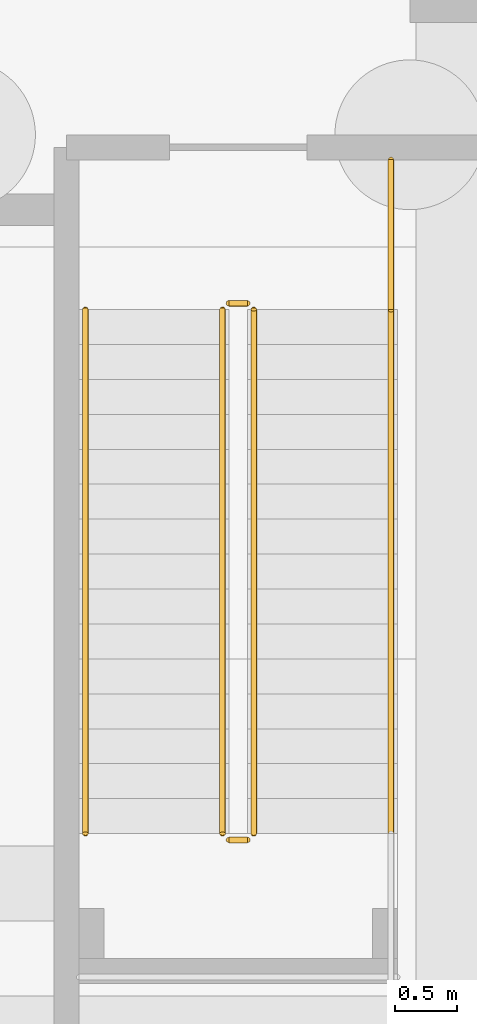
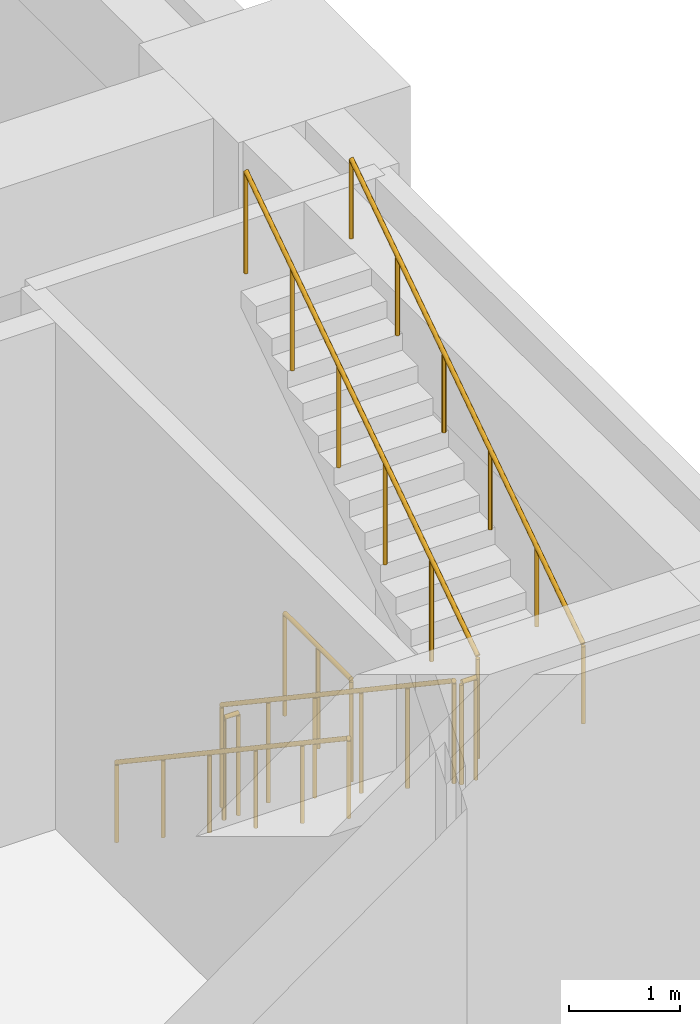
# One storey, part 12 of 13: 7 railings.
"""IFC4 building model written with IfcOpenShell, lengths in metres."""

from ifc_helpers import new_model, si_unit, direction, frame, origin, origin_2d, place, context, subcontext, project, spatial, circle, extrude, material, type_object, element, save


model = new_model("IFC4")

# Units and contexts
model_context = context("Model", 3, precision=1e-05, world=origin(), true_north=direction((0.0, 1.0)))
body_context = subcontext(model_context, "Body", "Model", "MODEL_VIEW")
ifc_project = project(units=[si_unit("LENGTHUNIT", "METRE"), si_unit("AREAUNIT", "SQUARE_METRE"), si_unit("VOLUMEUNIT", "CUBIC_METRE"), si_unit("PLANEANGLEUNIT", "RADIAN"), si_unit("MASSUNIT", "GRAM", prefix="KILO")], contexts=[model_context])

# Site, building, storey
site_placement = place(None, origin())
site = spatial("IfcSite", under=ifc_project, at=site_placement, CompositionType="ELEMENT")
building_placement = place(site_placement, origin())
building = spatial("IfcBuilding", under=site, at=building_placement, Name="Saffron Iwan Residences", CompositionType="ELEMENT")
storey_placement = place(building_placement, frame((0.0, 0.0, -11.39990234375)))
storey = spatial("IfcBuildingStorey", under=building, at=storey_placement, Name="B2", CompositionType="ELEMENT", Elevation=-11.39990234375)

# Railings
ifc_material = material(Name="Steel S355", Category="steel")
railing_type_1 = type_object("IfcRailingType", Name="Podium stair guard 1150", PredefinedType="GUARDRAIL", material=ifc_material)
railing_1_placement = place(storey_placement, frame((98.39990234375, 6.39990234375, 0.1875)))
element("IfcRailing", 1, at=railing_1_placement, inside=storey, type_object=railing_type_1, Name="B2 SE2 stair guard 1", PredefinedType="GUARDRAIL", context=body_context, shape_type="SweptSolid", body=[
    extrude(circle(Radius=0.02392578125, at=origin_2d()), frame((0.0, 0.0, 1.1259765625), z_axis=(0.0, -0.830904186295, 0.556415522067), x_axis=(1.0, 0.0, 0.0)), (0.0, 0.0, 1.0), 5.0546875),
    extrude(circle(Radius=0.02099609375, at=origin_2d()), origin(), (0.0, 0.0, 1.0), 1.101806640625),
    extrude(circle(Radius=0.02099609375, at=origin_2d()), frame((0.0, -0.840087890625, 0.5625)), (0.0, 0.0, 1.0), 1.101806640625),
    extrude(circle(Radius=0.02099609375, at=origin_2d()), frame((0.0, -1.679931640625, 1.125)), (0.0, 0.0, 1.0), 1.101806640625),
    extrude(circle(Radius=0.02099609375, at=origin_2d()), frame((0.0, -2.52001953125, 1.6875)), (0.0, 0.0, 1.0), 1.101806640625),
    extrude(circle(Radius=0.02099609375, at=origin_2d()), frame((0.0, -3.35986328125, 2.25)), (0.0, 0.0, 1.0), 1.101806640625),
    extrude(circle(Radius=0.02099609375, at=origin_2d()), frame((0.0, -4.199951171875, 2.8125)), (0.0, 0.0, 1.0), 1.101806640625),
])
railing_2_placement = place(storey_placement, frame((98.449951171875, 2.14990234375, 3.0)))
element("IfcRailing", 2, at=railing_2_placement, inside=storey, type_object=railing_type_1, Name="B2 SE2 stair guard 2", PredefinedType="GUARDRAIL", context=body_context, shape_type="SweptSolid", body=[
    extrude(circle(Radius=0.02392578125, at=origin_2d()), frame((0.0, 0.0, 1.1259765625), z_axis=(1.0, 0.0, 0.0), x_axis=(0.0, 1.0, 0.0)), (0.0, 0.0, 1.0), 0.150146484375),
    extrude(circle(Radius=0.02099609375, at=origin_2d()), origin(), (0.0, 0.0, 1.0), 1.101806640625),
    extrude(circle(Radius=0.02099609375, at=origin_2d()), frame((0.150146484375, 0.0, 0.0)), (0.0, 0.0, 1.0), 1.101806640625),
])
railing_3_placement = place(storey_placement, frame((98.64990234375, 2.199951171875, 3.1875)))
element("IfcRailing", 3, at=railing_3_placement, inside=storey, type_object=railing_type_1, Name="B2 SE2 stair guard 5", PredefinedType="GUARDRAIL", context=body_context, shape_type="SweptSolid", body=[
    extrude(circle(Radius=0.02392578125, at=origin_2d()), frame((0.0, 0.0, 1.1259765625), z_axis=(0.0, 0.830904186295, 0.556415522067), x_axis=(-1.0, 0.0, 0.0)), (0.0, 0.0, 1.0), 5.0546875),
    extrude(circle(Radius=0.02099609375, at=origin_2d()), origin(), (0.0, 0.0, 1.0), 1.101806640625),
    extrude(circle(Radius=0.02099609375, at=origin_2d()), frame((0.0, 0.840087890625, 0.5625)), (0.0, 0.0, 1.0), 1.101806640625),
    extrude(circle(Radius=0.02099609375, at=origin_2d()), frame((0.0, 1.679931640625, 1.125)), (0.0, 0.0, 1.0), 1.101806640625),
    extrude(circle(Radius=0.02099609375, at=origin_2d()), frame((0.0, 2.52001953125, 1.6875)), (0.0, 0.0, 1.0), 1.101806640625),
    extrude(circle(Radius=0.02099609375, at=origin_2d()), frame((0.0, 3.35986328125, 2.25)), (0.0, 0.0, 1.0), 1.101806640625),
    extrude(circle(Radius=0.02099609375, at=origin_2d()), frame((0.0, 4.199951171875, 2.8125)), (0.0, 0.0, 1.0), 1.101806640625),
])
railing_4_placement = place(storey_placement, frame((98.449951171875, 6.449951171875, 0.0)))
element("IfcRailing", 4, at=railing_4_placement, inside=storey, type_object=railing_type_1, Name="B2 SE2 stair guard 6", PredefinedType="GUARDRAIL", context=body_context, shape_type="SweptSolid", body=[
    extrude(circle(Radius=0.02392578125, at=origin_2d()), frame((0.0, 0.0, 1.1259765625), z_axis=(1.0, 0.0, 0.0), x_axis=(0.0, 1.0, 0.0)), (0.0, 0.0, 1.0), 0.150146484375),
    extrude(circle(Radius=0.02099609375, at=origin_2d()), origin(), (0.0, 0.0, 1.0), 1.101806640625),
    extrude(circle(Radius=0.02099609375, at=origin_2d()), frame((0.150146484375, 0.0, 0.0)), (0.0, 0.0, 1.0), 1.101806640625),
])
railing_5_placement = place(storey_placement, frame((99.75, 7.60009765625, 0.0)))
element("IfcRailing", 5, at=railing_5_placement, inside=storey, type_object=railing_type_1, Name="B2 SE2 stair guard 7", PredefinedType="GUARDRAIL", context=body_context, shape_type="SweptSolid", body=[
    extrude(circle(Radius=0.02392578125, at=origin_2d()), frame((0.0, 0.0, 1.1259765625), z_axis=(0.0, -1.0, 0.0), x_axis=(1.0, 0.0, 0.0)), (0.0, 0.0, 1.0), 1.2001953125),
    extrude(circle(Radius=0.02099609375, at=origin_2d()), origin(), (0.0, 0.0, 1.0), 1.101806640625),
    extrude(circle(Radius=0.02099609375, at=origin_2d()), frame((0.0, -0.60009765625, 0.0)), (0.0, 0.0, 1.0), 1.101806640625),
    extrude(circle(Radius=0.02099609375, at=origin_2d()), frame((0.0, -1.2001953125, 0.0)), (0.0, 0.0, 1.0), 1.101806640625),
])
railing_type_2 = type_object("IfcRailingType", Name="Podium stair handrail 900", PredefinedType="HANDRAIL", material=ifc_material)
railing_6_placement = place(storey_placement, frame((97.300048828125, 6.39990234375, 0.1875)))
element("IfcRailing", 6, at=railing_6_placement, inside=storey, type_object=railing_type_2, Name="B2 SE2 stair handrail 1", PredefinedType="HANDRAIL", context=body_context, shape_type="SweptSolid", body=[
    extrude(circle(Radius=0.02392578125, at=origin_2d()), frame((0.0, 0.0, 0.8759765625), z_axis=(0.0, -0.830904186295, 0.556415522067), x_axis=(1.0, 0.0, 0.0)), (0.0, 0.0, 1.0), 5.0546875),
    extrude(circle(Radius=0.02099609375, at=origin_2d()), origin(), (0.0, 0.0, 1.0), 0.851806640625),
    extrude(circle(Radius=0.02099609375, at=origin_2d()), frame((0.0, -0.840087890625, 0.5625)), (0.0, 0.0, 1.0), 0.851806640625),
    extrude(circle(Radius=0.02099609375, at=origin_2d()), frame((0.0, -1.679931640625, 1.125)), (0.0, 0.0, 1.0), 0.851806640625),
    extrude(circle(Radius=0.02099609375, at=origin_2d()), frame((0.0, -2.52001953125, 1.6875)), (0.0, 0.0, 1.0), 0.851806640625),
    extrude(circle(Radius=0.02099609375, at=origin_2d()), frame((0.0, -3.35986328125, 2.25)), (0.0, 0.0, 1.0), 0.851806640625),
    extrude(circle(Radius=0.02099609375, at=origin_2d()), frame((0.0, -4.199951171875, 2.8125)), (0.0, 0.0, 1.0), 0.851806640625),
])
railing_7_placement = place(storey_placement, frame((99.75, 2.199951171875, 3.1875)))
element("IfcRailing", 7, at=railing_7_placement, inside=storey, type_object=railing_type_2, Name="B2 SE2 stair handrail 2", PredefinedType="HANDRAIL", context=body_context, shape_type="SweptSolid", body=[
    extrude(circle(Radius=0.02392578125, at=origin_2d()), frame((0.0, 0.0, 0.8759765625), z_axis=(0.0, 0.830904186295, 0.556415522067), x_axis=(-1.0, 0.0, 0.0)), (0.0, 0.0, 1.0), 5.0546875),
    extrude(circle(Radius=0.02099609375, at=origin_2d()), origin(), (0.0, 0.0, 1.0), 0.851806640625),
    extrude(circle(Radius=0.02099609375, at=origin_2d()), frame((0.0, 0.840087890625, 0.5625)), (0.0, 0.0, 1.0), 0.851806640625),
    extrude(circle(Radius=0.02099609375, at=origin_2d()), frame((0.0, 1.679931640625, 1.125)), (0.0, 0.0, 1.0), 0.851806640625),
    extrude(circle(Radius=0.02099609375, at=origin_2d()), frame((0.0, 2.52001953125, 1.6875)), (0.0, 0.0, 1.0), 0.851806640625),
    extrude(circle(Radius=0.02099609375, at=origin_2d()), frame((0.0, 3.35986328125, 2.25)), (0.0, 0.0, 1.0), 0.851806640625),
    extrude(circle(Radius=0.02099609375, at=origin_2d()), frame((0.0, 4.199951171875, 2.8125)), (0.0, 0.0, 1.0), 0.851806640625),
])

save(model, "model.ifc")
